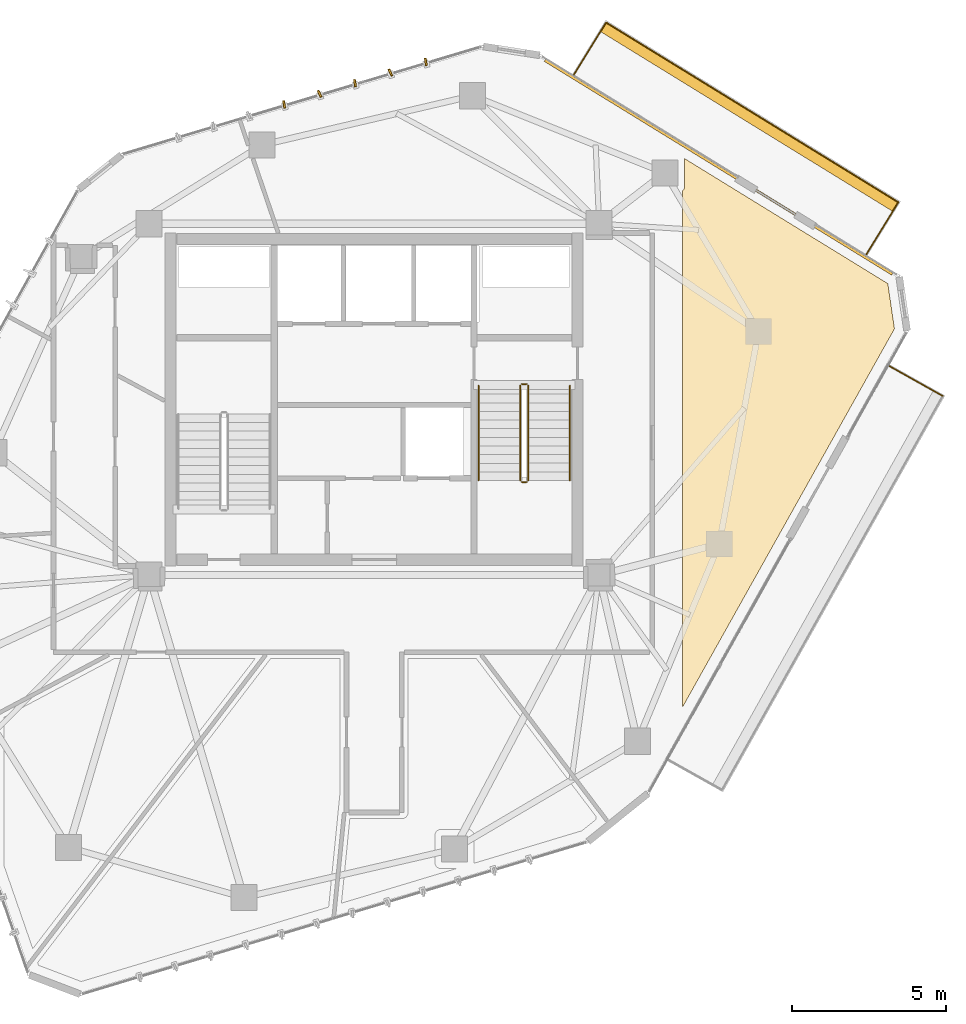
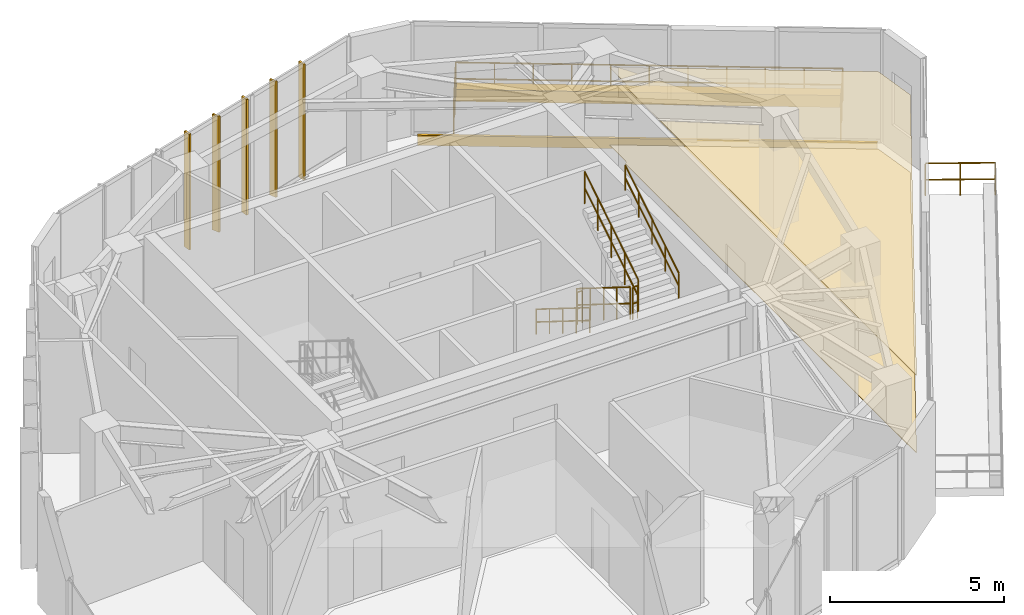
# One storey, part 20 of 20: 10 railings, 5 shading devices, 4 coverings.
"""IFC4 building model written with IfcOpenShell, lengths in metres."""

from ifc_helpers import new_model, si_unit, direction, frame, origin, origin_2d, place, context, subcontext, project, spatial, polyline, rectangle, circle, outline, extrude, source, transform, mapped, material, layer, layer_set, type_object, type_shapes, element, save


model = new_model("IFC4")

# Units and contexts
model_context = context("Model", 3, precision=1e-05, world=origin(), true_north=direction((0.0, 1.0)))
body_context = subcontext(model_context, "Body", "Model", "MODEL_VIEW")
ifc_project = project(units=[si_unit("LENGTHUNIT", "METRE"), si_unit("AREAUNIT", "SQUARE_METRE"), si_unit("VOLUMEUNIT", "CUBIC_METRE"), si_unit("PLANEANGLEUNIT", "RADIAN"), si_unit("MASSUNIT", "GRAM", prefix="KILO")], contexts=[model_context])

# Site, building, storey
site_placement = place(None, origin())
site = spatial("IfcSite", under=ifc_project, at=site_placement, CompositionType="ELEMENT")
building_placement = place(site_placement, origin())
building = spatial("IfcBuilding", under=site, at=building_placement, Name="Talar Marvaseh", CompositionType="ELEMENT")
storey_placement = place(building_placement, frame((0.0, 0.0, 291.800048828125)))
storey = spatial("IfcBuildingStorey", under=building, at=storey_placement, Name="L78", CompositionType="ELEMENT", Elevation=291.800048828125)

# Railings
ifc_material_1 = material(Name="Stainless Steel Grade 316", Category="steel")
railing_type_1 = type_object("IfcRailingType", Name="Brushed Stainless Wall Pitch Handrail 900", PredefinedType="HANDRAIL", material=ifc_material_1)
railing_1_placement = place(storey_placement, frame((29.389892578125, 31.64990234375, 0.175048828125)))
element("IfcRailing", 1, at=railing_1_placement, inside=storey, type_object=railing_type_1, Name="L78 ST-2 stair handrail 1", PredefinedType="HANDRAIL", context=body_context, shape_type="SweptSolid", body=[
    extrude(circle(Radius=0.02392578125, at=origin_2d()), frame((0.0, 0.0, 0.8759765625), z_axis=(0.0, -0.848009633417, 0.529980812513), x_axis=(1.0, 0.0, 0.0)), (0.0, 0.0, 1.0), 3.6318359375),
    extrude(circle(Radius=0.02392578125, at=origin_2d()), frame((0.0, 0.0, 0.42578125), z_axis=(0.0, -0.848009633417, 0.529980812513), x_axis=(1.0, 0.0, 0.0)), (0.0, 0.0, 1.0), 3.6318359375),
    extrude(circle(Radius=0.02099609375, at=origin_2d()), origin(), (0.0, 0.0, 1.0), 0.851806640625),
    extrude(circle(Radius=0.02099609375, at=origin_2d()), frame((0.0, -0.77001953125, 0.481201171875)), (0.0, 0.0, 1.0), 0.851806640625),
    extrude(circle(Radius=0.02099609375, at=origin_2d()), frame((0.0, -1.5400390625, 0.96240234375)), (0.0, 0.0, 1.0), 0.851806640625),
    extrude(circle(Radius=0.02099609375, at=origin_2d()), frame((0.0, -2.309814453125, 1.443603515625)), (0.0, 0.0, 1.0), 0.851806640625),
    extrude(circle(Radius=0.02099609375, at=origin_2d()), frame((0.0, -3.079833984375, 1.9248046875)), (0.0, 0.0, 1.0), 0.851806640625),
])
railing_2_placement = place(storey_placement, frame((32.35009765625, 28.570068359375, 2.27490234375)))
element("IfcRailing", 2, at=railing_2_placement, inside=storey, type_object=railing_type_1, Name="L78 ST-2 stair handrail 2", PredefinedType="HANDRAIL", context=body_context, shape_type="SweptSolid", body=[
    extrude(circle(Radius=0.02392578125, at=origin_2d()), frame((0.0, 0.0, 0.8759765625), z_axis=(0.0, 0.847979421464, 0.530029150871), x_axis=(-1.0, 0.0, 0.0)), (0.0, 0.0, 1.0), 3.632080078125),
    extrude(circle(Radius=0.02392578125, at=origin_2d()), frame((0.0, 0.0, 0.42578125), z_axis=(0.0, 0.847979421464, 0.530029150871), x_axis=(-1.0, 0.0, 0.0)), (0.0, 0.0, 1.0), 3.632080078125),
    extrude(circle(Radius=0.02099609375, at=origin_2d()), origin(), (0.0, 0.0, 1.0), 0.851806640625),
    extrude(circle(Radius=0.02099609375, at=origin_2d()), frame((0.0, 0.77001953125, 0.481201171875)), (0.0, 0.0, 1.0), 0.851806640625),
    extrude(circle(Radius=0.02099609375, at=origin_2d()), frame((0.0, 1.5400390625, 0.96240234375)), (0.0, 0.0, 1.0), 0.851806640625),
    extrude(circle(Radius=0.02099609375, at=origin_2d()), frame((0.0, 2.309814453125, 1.44384765625)), (0.0, 0.0, 1.0), 0.851806640625),
    extrude(circle(Radius=0.02099609375, at=origin_2d()), frame((0.0, 3.079833984375, 1.925048828125)), (0.0, 0.0, 1.0), 0.851806640625),
])
ifc_material_2 = material(Name="Tempered Clear Glass", Category="glass")
railing_type_2 = type_object("IfcRailingType", Name="External Laminated Glass Terrace Balustrade 1150", PredefinedType="BALUSTRADE", material=ifc_material_2)
railing_3_placement = place(storey_placement, frame((32.47265625, 41.720703125, 0.0)))
element("IfcRailing", 3, at=railing_3_placement, inside=storey, type_object=railing_type_2, Name="L78 External Terrace Balustrade 1 1", PredefinedType="BALUSTRADE", context=body_context, shape_type="SweptSolid", body=[
    extrude(circle(Radius=0.02392578125, at=origin_2d()), frame((0.0, 0.0, 1.1259765625), z_axis=(0.523860218036, 0.851804245093, 0.0), x_axis=(-0.851804245093, 0.523860218036, 0.0)), (0.0, 0.0, 1.0), 2.010009765625),
    extrude(circle(Radius=0.02392578125, at=origin_2d()), frame((0.0, 0.0, 0.55078125), z_axis=(0.523860218036, 0.851804245093, 0.0), x_axis=(-0.851804245093, 0.523860218036, 0.0)), (0.0, 0.0, 1.0), 2.010009765625),
    extrude(circle(Radius=0.02099609375, at=origin_2d()), origin(), (0.0, 0.0, 1.0), 1.101806640625),
    extrude(circle(Radius=0.02099609375, at=origin_2d()), frame((0.5263671875, 0.85595703125, 0.0)), (0.0, 0.0, 1.0), 1.101806640625),
    extrude(circle(Radius=0.02099609375, at=origin_2d()), frame((1.052978515625, 1.712158203125, 0.0)), (0.0, 0.0, 1.0), 1.101806640625),
])
railing_4_placement = place(storey_placement, frame((33.525634765625, 43.432861328125, 0.0)))
element("IfcRailing", 4, at=railing_4_placement, inside=storey, type_object=railing_type_2, Name="L78 External Terrace Balustrade 1 2", PredefinedType="BALUSTRADE", context=body_context, shape_type="SweptSolid", body=[
    extrude(circle(Radius=0.02392578125, at=origin_2d()), frame((0.0, 0.0, 1.1259765625), z_axis=(0.851764448064, -0.52392492307, 0.0), x_axis=(0.52392492307, 0.851764448064, 0.0)), (0.0, 0.0, 1.0), 11.134765625),
    extrude(circle(Radius=0.02392578125, at=origin_2d()), frame((0.0, 0.0, 0.55078125), z_axis=(0.851764448064, -0.52392492307, 0.0), x_axis=(0.52392492307, 0.851764448064, 0.0)), (0.0, 0.0, 1.0), 11.134765625),
    extrude(circle(Radius=0.02099609375, at=origin_2d()), origin(), (0.0, 0.0, 1.0), 1.101806640625),
    extrude(circle(Radius=0.02099609375, at=origin_2d()), frame((0.948486328125, -0.58349609375, 0.0)), (0.0, 0.0, 1.0), 1.101806640625),
    extrude(circle(Radius=0.02099609375, at=origin_2d()), frame((1.896728515625, -1.166748046875, 0.0)), (0.0, 0.0, 1.0), 1.101806640625),
    extrude(circle(Radius=0.02099609375, at=origin_2d()), frame((2.84521484375, -1.75, 0.0)), (0.0, 0.0, 1.0), 1.101806640625),
    extrude(circle(Radius=0.02099609375, at=origin_2d()), frame((3.793701171875, -2.33349609375, 0.0)), (0.0, 0.0, 1.0), 1.101806640625),
    extrude(circle(Radius=0.02099609375, at=origin_2d()), frame((4.7421875, -2.9169921875, 0.0)), (0.0, 0.0, 1.0), 1.101806640625),
    extrude(circle(Radius=0.02099609375, at=origin_2d()), frame((5.6904296875, -3.500244140625, 0.0)), (0.0, 0.0, 1.0), 1.101806640625),
    extrude(circle(Radius=0.02099609375, at=origin_2d()), frame((6.638916015625, -4.08349609375, 0.0)), (0.0, 0.0, 1.0), 1.101806640625),
    extrude(circle(Radius=0.02099609375, at=origin_2d()), frame((7.58740234375, -4.6669921875, 0.0)), (0.0, 0.0, 1.0), 1.101806640625),
    extrude(circle(Radius=0.02099609375, at=origin_2d()), frame((8.53564453125, -5.25048828125, 0.0)), (0.0, 0.0, 1.0), 1.101806640625),
    extrude(circle(Radius=0.02099609375, at=origin_2d()), frame((9.484130859375, -5.833740234375, 0.0)), (0.0, 0.0, 1.0), 1.101806640625),
])
railing_5_placement = place(storey_placement, frame((43.009765625, 37.59912109375, 0.0)))
element("IfcRailing", 5, at=railing_5_placement, inside=storey, type_object=railing_type_2, Name="L78 External Terrace Balustrade 1 3", PredefinedType="BALUSTRADE", context=body_context, shape_type="SweptSolid", body=[
    extrude(circle(Radius=0.02392578125, at=origin_2d()), frame((0.0, 0.0, 1.1259765625), z_axis=(-0.523860218036, -0.851804245093, 0.0), x_axis=(0.851804245093, -0.523860218036, 0.0)), (0.0, 0.0, 1.0), 2.010009765625),
    extrude(circle(Radius=0.02392578125, at=origin_2d()), frame((0.0, 0.0, 0.55078125), z_axis=(-0.523860218036, -0.851804245093, 0.0), x_axis=(0.851804245093, -0.523860218036, 0.0)), (0.0, 0.0, 1.0), 2.010009765625),
    extrude(circle(Radius=0.02099609375, at=origin_2d()), origin(), (0.0, 0.0, 1.0), 1.101806640625),
    extrude(circle(Radius=0.02099609375, at=origin_2d()), frame((-0.5263671875, -0.85595703125, 0.0)), (0.0, 0.0, 1.0), 1.101806640625),
    extrude(circle(Radius=0.02099609375, at=origin_2d()), frame((-1.052978515625, -1.712158203125, 0.0)), (0.0, 0.0, 1.0), 1.101806640625),
])
railing_6_placement = place(storey_placement, frame((42.69287109375, 32.294921875, 0.0)))
element("IfcRailing", 6, at=railing_6_placement, inside=storey, type_object=railing_type_2, Name="L78 External Terrace Balustrade 2 1", PredefinedType="BALUSTRADE", context=body_context, shape_type="SweptSolid", body=[
    extrude(circle(Radius=0.02392578125, at=origin_2d()), frame((0.0, 0.0, 1.1259765625), z_axis=(0.872398284353, -0.488795697053, 0.0), x_axis=(0.488795697053, 0.872398284353, 0.0)), (0.0, 0.0, 1.0), 2.009765625),
    extrude(circle(Radius=0.02392578125, at=origin_2d()), frame((0.0, 0.0, 0.55078125), z_axis=(0.872398284353, -0.488795697053, 0.0), x_axis=(0.488795697053, 0.872398284353, 0.0)), (0.0, 0.0, 1.0), 2.009765625),
    extrude(circle(Radius=0.02099609375, at=origin_2d()), origin(), (0.0, 0.0, 1.0), 1.101806640625),
    extrude(circle(Radius=0.02099609375, at=origin_2d()), frame((0.876708984375, -0.4912109375, 0.0)), (0.0, 0.0, 1.0), 1.101806640625),
    extrude(circle(Radius=0.02099609375, at=origin_2d()), frame((1.75341796875, -0.982421875, 0.0)), (0.0, 0.0, 1.0), 1.101806640625),
])
railing_type_3 = type_object("IfcRailingType", Name="Painted Steel Core Stair Well Guardrail 1150", PredefinedType="GUARDRAIL", material=ifc_material_1)
railing_7_placement = place(storey_placement, frame((30.739990234375, 31.64990234375, 0.175048828125)))
element("IfcRailing", 7, at=railing_7_placement, inside=storey, type_object=railing_type_3, Name="L78 ST-2 stair guard 1", PredefinedType="GUARDRAIL", context=body_context, shape_type="SweptSolid", body=[
    extrude(circle(Radius=0.02392578125, at=origin_2d()), frame((0.0, 0.0, 1.1259765625), z_axis=(0.0, -0.848009633417, 0.529980812513), x_axis=(1.0, 0.0, 0.0)), (0.0, 0.0, 1.0), 3.6318359375),
    extrude(circle(Radius=0.02392578125, at=origin_2d()), frame((0.0, 0.0, 0.55078125), z_axis=(0.0, -0.848009633417, 0.529980812513), x_axis=(1.0, 0.0, 0.0)), (0.0, 0.0, 1.0), 3.6318359375),
    extrude(circle(Radius=0.02099609375, at=origin_2d()), origin(), (0.0, 0.0, 1.0), 1.101806640625),
    extrude(circle(Radius=0.02099609375, at=origin_2d()), frame((0.0, -0.77001953125, 0.481201171875)), (0.0, 0.0, 1.0), 1.101806640625),
    extrude(circle(Radius=0.02099609375, at=origin_2d()), frame((0.0, -1.5400390625, 0.96240234375)), (0.0, 0.0, 1.0), 1.101806640625),
    extrude(circle(Radius=0.02099609375, at=origin_2d()), frame((0.0, -2.309814453125, 1.443603515625)), (0.0, 0.0, 1.0), 1.101806640625),
    extrude(circle(Radius=0.02099609375, at=origin_2d()), frame((0.0, -3.079833984375, 1.9248046875)), (0.0, 0.0, 1.0), 1.101806640625),
])
railing_8_placement = place(storey_placement, frame((30.7900390625, 28.52001953125, 2.099853515625)))
element("IfcRailing", 8, at=railing_8_placement, inside=storey, type_object=railing_type_3, Name="L78 ST-2 stair guard 2", PredefinedType="GUARDRAIL", context=body_context, shape_type="SweptSolid", body=[
    extrude(circle(Radius=0.02392578125, at=origin_2d()), frame((0.0, 0.0, 1.1259765625), z_axis=(1.0, 0.0, 0.0), x_axis=(0.0, 1.0, 0.0)), (0.0, 0.0, 1.0), 0.159912109375),
    extrude(circle(Radius=0.02392578125, at=origin_2d()), frame((0.0, 0.0, 0.55078125), z_axis=(1.0, 0.0, 0.0), x_axis=(0.0, 1.0, 0.0)), (0.0, 0.0, 1.0), 0.159912109375),
    extrude(circle(Radius=0.02099609375, at=origin_2d()), origin(), (0.0, 0.0, 1.0), 1.101806640625),
    extrude(circle(Radius=0.02099609375, at=origin_2d()), frame((0.159912109375, 0.0, 0.0)), (0.0, 0.0, 1.0), 1.101806640625),
])
railing_9_placement = place(storey_placement, frame((31.0, 28.570068359375, 2.27490234375)))
element("IfcRailing", 9, at=railing_9_placement, inside=storey, type_object=railing_type_3, Name="L78 ST-2 stair guard 3", PredefinedType="GUARDRAIL", context=body_context, shape_type="SweptSolid", body=[
    extrude(circle(Radius=0.02392578125, at=origin_2d()), frame((0.0, 0.0, 1.1259765625), z_axis=(0.0, 0.847979421464, 0.530029150871), x_axis=(-1.0, 0.0, 0.0)), (0.0, 0.0, 1.0), 3.632080078125),
    extrude(circle(Radius=0.02392578125, at=origin_2d()), frame((0.0, 0.0, 0.55078125), z_axis=(0.0, 0.847979421464, 0.530029150871), x_axis=(-1.0, 0.0, 0.0)), (0.0, 0.0, 1.0), 3.632080078125),
    extrude(circle(Radius=0.02099609375, at=origin_2d()), origin(), (0.0, 0.0, 1.0), 1.101806640625),
    extrude(circle(Radius=0.02099609375, at=origin_2d()), frame((0.0, 0.77001953125, 0.481201171875)), (0.0, 0.0, 1.0), 1.101806640625),
    extrude(circle(Radius=0.02099609375, at=origin_2d()), frame((0.0, 1.5400390625, 0.96240234375)), (0.0, 0.0, 1.0), 1.101806640625),
    extrude(circle(Radius=0.02099609375, at=origin_2d()), frame((0.0, 2.309814453125, 1.44384765625)), (0.0, 0.0, 1.0), 1.101806640625),
    extrude(circle(Radius=0.02099609375, at=origin_2d()), frame((0.0, 3.079833984375, 1.925048828125)), (0.0, 0.0, 1.0), 1.101806640625),
])
railing_10_placement = place(storey_placement, frame((30.7900390625, 31.699951171875, 0.0)))
element("IfcRailing", 10, at=railing_10_placement, inside=storey, type_object=railing_type_3, Name="L78 ST-2 stair guard 4", PredefinedType="GUARDRAIL", context=body_context, shape_type="SweptSolid", body=[
    extrude(circle(Radius=0.02392578125, at=origin_2d()), frame((0.0, 0.0, 1.1259765625), z_axis=(1.0, 0.0, 0.0), x_axis=(0.0, 1.0, 0.0)), (0.0, 0.0, 1.0), 0.159912109375),
    extrude(circle(Radius=0.02392578125, at=origin_2d()), frame((0.0, 0.0, 0.55078125), z_axis=(1.0, 0.0, 0.0), x_axis=(0.0, 1.0, 0.0)), (0.0, 0.0, 1.0), 0.159912109375),
    extrude(circle(Radius=0.02099609375, at=origin_2d()), origin(), (0.0, 0.0, 1.0), 1.101806640625),
    extrude(circle(Radius=0.02099609375, at=origin_2d()), frame((0.159912109375, 0.0, 0.0)), (0.0, 0.0, 1.0), 1.101806640625),
])

# Coverings
ifc_material_3 = material(Name="Mineral Fibre Acoustic Ceiling")
ifc_layer_1 = layer(ifc_material_3, 0.02490234375)
ifc_layer_set_1 = layer_set([ifc_layer_1], Name="Mineral Fibre Acoustic Ceiling")
covering_type_1 = type_object("IfcCoveringType", Name="Perforated Mineral Fibre Acoustic Suspended Ceiling", PredefinedType="CEILING", material=ifc_layer_set_1)
covering_1_placement = place(storey_placement, frame((0.0, 0.0, 2.719970703125)))
element("IfcCovering", 11, at=covering_1_placement, inside=storey, type_object=covering_type_1, Name="L78 Gallery Security Control Room Acoustic Ceiling", PredefinedType="CEILING", context=body_context, shape_type="SweptSolid", body=[
    extrude(outline(polyline([(36.0146484375, 37.9736328125), (36.02783203125, 37.988037109375), (36.03955078125, 38.00390625), (36.0498046875, 38.0205078125), (36.05810546875, 38.0380859375), (36.064697265625, 38.056640625), (36.069580078125, 38.075439453125), (36.072509765625, 38.094970703125), (36.073486328125, 38.114501953125), (36.077880859375, 38.9765625), (36.0771484375, 38.9951171875), (36.074951171875, 39.01171875), (42.666015625, 34.95751953125), (42.880859375, 33.48974609375), (36.0, 21.20751953125), (36.0, 37.96044921875), (36.0, 37.96044921875), (36.0146484375, 37.9736328125)])), origin(), (0.0, 0.0, 1.0), 0.02490234375),
])
ifc_material_4 = material(Name="Planted Terrace Vegetated Substrate")
ifc_layer_2 = layer(ifc_material_4, 0.39990234375)
ifc_layer_set_2 = layer_set([ifc_layer_2], Name="Planted Terrace Vegetated Substrate")
covering_type_2 = type_object("IfcCoveringType", Name="Planted Terrace Soil Planter Box Cladding", PredefinedType="CLADDING", material=ifc_layer_set_2)
covering_2_placement = place(storey_placement, origin())
element("IfcCovering", 12, at=covering_2_placement, inside=storey, type_object=covering_type_2, Name="L78 Balcony Structural Planter 1", PredefinedType="CLADDING", context=body_context, shape_type="SweptSolid", body=[
    extrude(outline(polyline([(33.525634765625, 43.432861328125), (43.009765625, 37.59912109375), (42.826416015625, 37.30078125), (33.34228515625, 43.134765625), (33.525634765625, 43.432861328125)])), origin(), (0.0, 0.0, 1.0), 0.419921875),
])
ifc_material_5 = material(Name="Porcelain Stoneware Tile", Category="masonry")
ifc_layer_3 = layer(ifc_material_5, 0.02001953125)
ifc_layer_set_3 = layer_set([ifc_layer_3], Name="Porcelain Stoneware Tile")
covering_type_3 = type_object("IfcCoveringType", Name="Polished Porcelain Stoneware Gallery Flooring", PredefinedType="FLOORING", material=ifc_layer_set_3)
covering_3_placement = place(storey_placement, origin())
element("IfcCovering", 13, at=covering_3_placement, inside=storey, type_object=covering_type_3, Name="L78 Gallery Security Control Room Flooring", PredefinedType="FLOORING", context=body_context, shape_type="SweptSolid", body=[
    extrude(outline(polyline([(36.0146484375, 37.9736328125), (36.02783203125, 37.988037109375), (36.03955078125, 38.00390625), (36.0498046875, 38.0205078125), (36.05810546875, 38.0380859375), (36.064697265625, 38.056640625), (36.069580078125, 38.075439453125), (36.072509765625, 38.094970703125), (36.073486328125, 38.114501953125), (36.077880859375, 38.9765625), (36.0771484375, 38.9951171875), (36.074951171875, 39.01171875), (42.666015625, 34.95751953125), (42.880859375, 33.48974609375), (36.0, 21.20751953125), (36.0, 37.96044921875), (36.0, 37.96044921875), (36.0146484375, 37.9736328125)])), origin(), (0.0, 0.0, 1.0), 0.02001953125),
])
ifc_material_6 = material(Name="Precast concrete C45/55", Category="concrete")
ifc_layer_4 = layer(ifc_material_6, 0.080078125)
ifc_layer_set_4 = layer_set([ifc_layer_4], Name="Precast concrete C45/55")
covering_type_4 = type_object("IfcCoveringType", Name="Precast Limestone Spandrel Cladding Band", PredefinedType="CLADDING", material=ifc_layer_set_4)
shared_shape_1 = source(origin(), body_context, "Body", "SweptSolid", [
    extrude(rectangle(XDim=13.235107421875, YDim=0.080078125, at=origin_2d()), origin(), (0.0, 0.0, 1.0), 0.360107421875),
])
type_shapes(covering_type_4, [shared_shape_1])
covering_4_placement = place(storey_placement, frame((37.1728515625, 38.735595703125, -0.3203125), z_axis=(0.0, 0.0, 1.0), x_axis=(0.851726934143, -0.52398590597, 0.0)))
element("IfcCovering", 14, at=covering_4_placement, inside=storey, type_object=covering_type_4, Name="L78 Precast Limestone Slab-Edge Spandrel Band", PredefinedType="CLADDING", context=body_context, shape_type="MappedRepresentation", body=[
    mapped(shared_shape_1, transform((0.0, 0.0, 0.0), x_axis=(1.0, 0.0, 0.0), y_axis=(0.0, 1.0, 0.0), z_axis=(0.0, 0.0, 1.0), scale=1.0)),
])

# Shading devices
ifc_material_7 = material(Name="Anodised Champagne Bronze Aluminium", Category="aluminium")
ifc_layer_5 = layer(ifc_material_7, 0.06494140625)
ifc_layer_set_5 = layer_set([ifc_layer_5], Name="Anodised Champagne Bronze Aluminium")
shading_device_type = type_object("IfcShadingDeviceType", Name="Sawtooth Champagne Bronze Vertical Fin 240", PredefinedType="USERDEFINED", material=ifc_layer_set_5)
shared_shape_2 = source(origin(), body_context, "Body", "SweptSolid", [
    extrude(rectangle(XDim=0.239990234375, YDim=0.06494140625, at=origin_2d()), origin(), (0.0, 0.0, 1.0), 4.06005859375),
])
type_shapes(shading_device_type, [shared_shape_2])
for number, where, z_axis, x_axis, name in (
    (15, (23.080810546875, 40.7705078125, -0.1201171875), (0.0, 0.0, 1.0), (-0.15091576158, 0.988546626572, 0.0), "L78 Sawtooth Vertical Solar Fin"),
    (16, (24.230224609375, 41.114990234375, -0.1201171875), (0.0, 0.0, 1.0), (-0.41754991917, 0.9086539853, 0.0), "L78 Sawtooth Vertical Solar Fin"),
    (17, (25.379638671875, 41.459228515625, -0.1201171875), (0.0, 0.0, 1.0), (-0.15091576158, 0.988546626572, 0.0), "L78 Sawtooth Vertical Solar Fin"),
    (18, (26.529296875, 41.8037109375, -0.1201171875), (0.0, 0.0, 1.0), (-0.41754991917, 0.9086539853, 0.0), "L78 Sawtooth Vertical Solar Fin"),
    (19, (27.6787109375, 42.148193359375, -0.1201171875), (0.0, 0.0, 1.0), (-0.15091576158, 0.988546626572, 0.0), "L78 Sawtooth Vertical Solar Fin"),
):
    element("IfcShadingDevice", number, at=place(storey_placement, frame(where, z_axis=z_axis, x_axis=x_axis)), inside=storey, type_object=shading_device_type, Name=name, ObjectType="FIN", PredefinedType="USERDEFINED", context=body_context, shape_type="MappedRepresentation", body=[
        mapped(shared_shape_2, transform((0.0, 0.0, 0.0), x_axis=(1.0, 0.0, 0.0), y_axis=(0.0, 1.0, 0.0), z_axis=(0.0, 0.0, 1.0), scale=1.0)),
    ])

save(model, "model.ifc")
